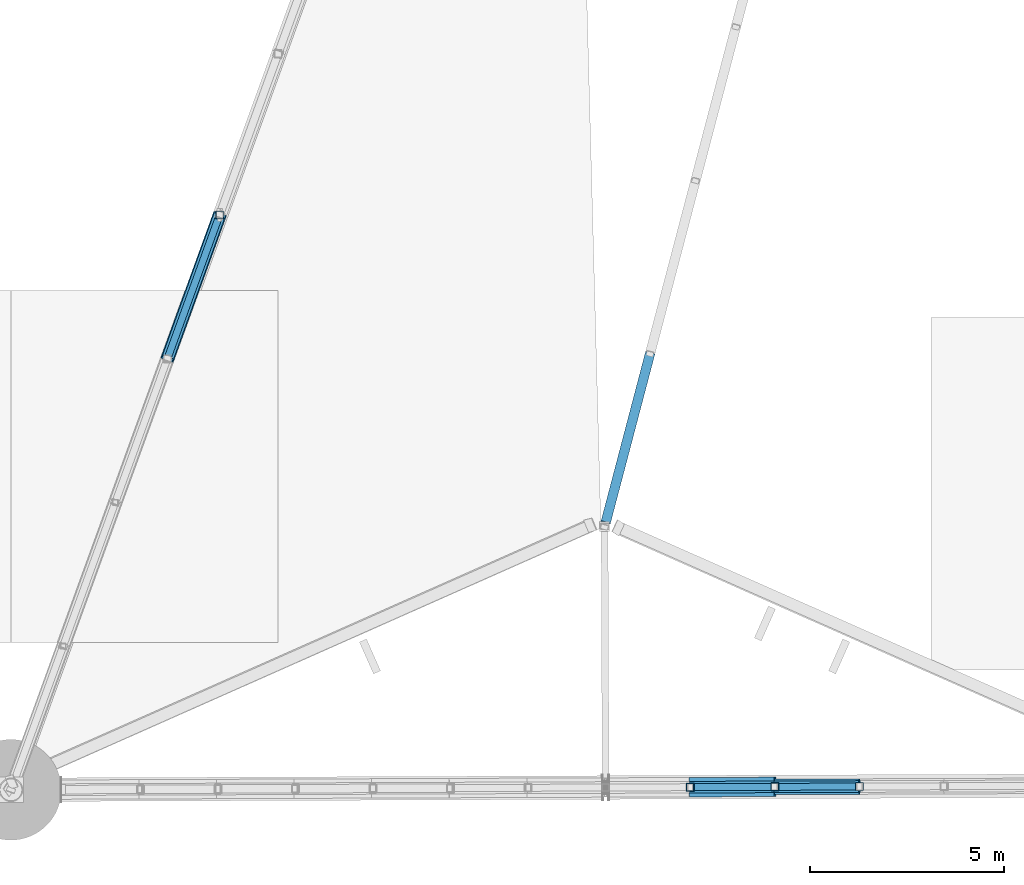
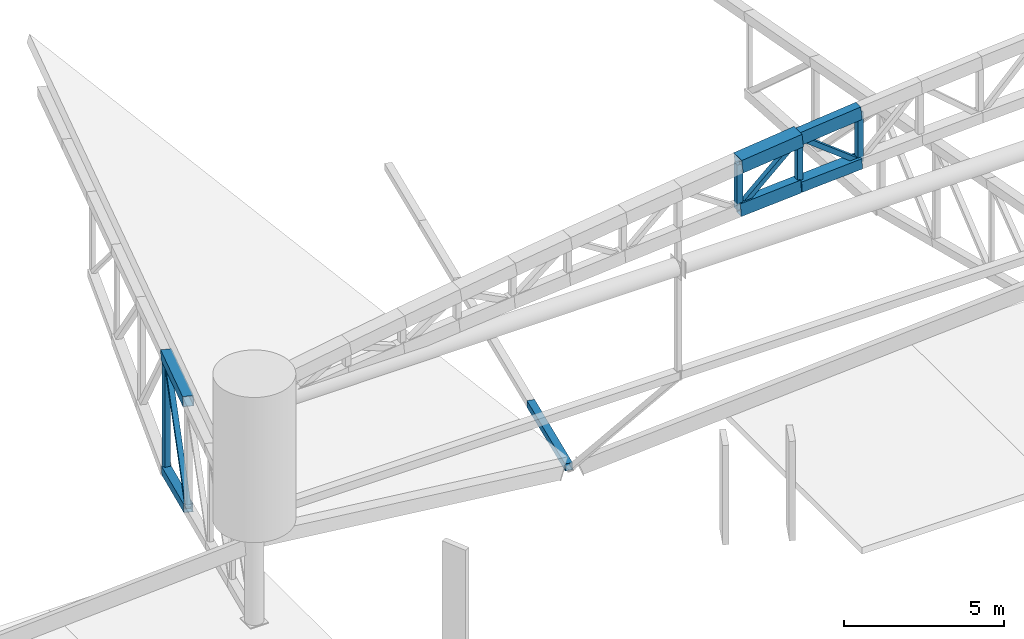
# One storey, part 18 of 188: 14 members.
"""IFC4 building model written with IfcOpenShell, lengths in metres."""

from ifc_helpers import new_model, si_unit, direction, frame, origin, origin_2d, place, context, subcontext, project, spatial, hollow_rectangle, extrude, material, material_profile, profile_set, type_object, element, save


model = new_model("IFC4")

# Units and contexts
model_context = context("Model", 3, precision=1e-05, world=origin(), true_north=direction((0.0, 1.0)))
body_context = subcontext(model_context, "Body", "Model", "MODEL_VIEW")
ifc_project = project(units=[si_unit("LENGTHUNIT", "METRE"), si_unit("AREAUNIT", "SQUARE_METRE"), si_unit("VOLUMEUNIT", "CUBIC_METRE"), si_unit("PLANEANGLEUNIT", "RADIAN"), si_unit("MASSUNIT", "GRAM", prefix="KILO")], contexts=[model_context])

# Site, building, storey
site_placement = place(None, origin())
site = spatial("IfcSite", under=ifc_project, at=site_placement, CompositionType="ELEMENT")
building_placement = place(site_placement, origin())
building = spatial("IfcBuilding", under=site, at=building_placement, Name="Meseta Stadium", CompositionType="ELEMENT")
storey_placement = place(building_placement, frame((0.0, 0.0, 30.0)))
storey = spatial("IfcBuildingStorey", under=building, at=storey_placement, Name="ROOF", CompositionType="ELEMENT", Elevation=30.0)

# Members
ifc_material_1 = material(Name="Steel S355", Category="steel")
ifc_material_profile_1 = material_profile(ifc_material_1, hollow_rectangle(XDim=0.300048828125, YDim=0.5, WallThickness=0.01611328125, at=origin_2d()), Name="RHS 500x300x16")
ifc_profile_set_1 = profile_set([ifc_material_profile_1], Name="Steel S355")
member_type_1 = type_object("IfcMemberType", Name="RHS 500x300x16 arch bottom chord", PredefinedType="CHORD", material=ifc_profile_set_1)
member_1_placement = place(storey_placement, frame((-20.787353515625, -105.33251953125, 17.004638671875), z_axis=(0.997966615357, 0.003899612765, 0.063619396826), x_axis=(-0.003907528502, 0.999992365581, 0.0)))
element("IfcMember", 1, at=member_1_placement, inside=storey, type_object=member_type_1, Name="GABLE ARCH GA-S bottom chord", PredefinedType="CHORD", context=body_context, shape_type="SweptSolid", body=[
    extrude(hollow_rectangle(XDim=0.300048828125, YDim=0.5, WallThickness=0.01611328125, at=origin_2d()), origin(), (0.0, 0.0, 1.0), 2.191162109375),
])
ifc_material_2 = material(Name="Steel S355", Category="steel")
ifc_material_profile_2 = material_profile(ifc_material_2, hollow_rectangle(XDim=0.300048828125, YDim=0.5, WallThickness=0.01611328125, at=origin_2d()), Name="RHS 500x300x16")
ifc_profile_set_2 = profile_set([ifc_material_profile_2], Name="Steel S355")
member_type_2 = type_object("IfcMemberType", Name="RHS 500x300x16 arch top chord", PredefinedType="CHORD", material=ifc_profile_set_2)
member_2_placement = place(storey_placement, frame((-18.6005859375, -105.323974609375, 18.9609375), z_axis=(0.995113347047, 0.003777786266, 0.098666888363), x_axis=(-0.003796310294, 0.999992793988, 0.0)))
element("IfcMember", 2, at=member_2_placement, inside=storey, type_object=member_type_2, Name="GABLE ARCH GA-S top chord", PredefinedType="CHORD", context=body_context, shape_type="SweptSolid", body=[
    extrude(hollow_rectangle(XDim=0.300048828125, YDim=0.5, WallThickness=0.01611328125, at=origin_2d()), origin(), (0.0, 0.0, 1.0), 2.197265625),
])
ifc_material_3 = material(Name="Steel S355", Category="steel")
ifc_material_profile_3 = material_profile(ifc_material_3, hollow_rectangle(XDim=0.179931640625, YDim=0.179931640625, WallThickness=0.00634765625, at=origin_2d()), Name="SHS 180x180x6.3")
ifc_profile_set_3 = profile_set([ifc_material_profile_3], Name="Steel S355")
member_type_3 = type_object("IfcMemberType", Name="SHS 180x180x6.3 arch diagonal", PredefinedType="BRACE", material=ifc_profile_set_3)
member_3_placement = place(storey_placement, frame((-20.787353515625, -105.33251953125, 17.004638671875), z_axis=(0.745286027417, 0.002912248628, 0.666738521569), x_axis=(-0.003907528502, 0.999992365581, 0.0)))
element("IfcMember", 3, at=member_3_placement, inside=storey, type_object=member_type_3, Name="GABLE ARCH GA-S diagonal", PredefinedType="BRACE", context=body_context, shape_type="SweptSolid", body=[
    extrude(hollow_rectangle(XDim=0.179931640625, YDim=0.179931640625, WallThickness=0.00634765625, at=origin_2d()), origin(), (0.0, 0.0, 1.0), 2.93408203125),
])
member_4_placement = place(storey_placement, frame((-18.6005859375, -105.323974609375, 18.9609375), z_axis=(0.791176509114, 0.00300357317, -0.61158050163), x_axis=(-0.003796310294, 0.999992793988, 0.0)))
element("IfcMember", 4, at=member_4_placement, inside=storey, type_object=member_type_3, Name="GABLE ARCH GA-S diagonal", PredefinedType="BRACE", context=body_context, shape_type="SweptSolid", body=[
    extrude(hollow_rectangle(XDim=0.179931640625, YDim=0.179931640625, WallThickness=0.00634765625, at=origin_2d()), origin(), (0.0, 0.0, 1.0), 2.763671875),
])
ifc_material_4 = material(Name="Steel S355", Category="steel")
ifc_material_profile_4 = material_profile(ifc_material_4, hollow_rectangle(XDim=0.179931640625, YDim=0.179931640625, WallThickness=0.00634765625, at=origin_2d()), Name="SHS 180x180x6.3")
ifc_profile_set_4 = profile_set([ifc_material_profile_4], Name="Steel S355")
member_type_4 = type_object("IfcMemberType", Name="SHS 180x180x6.3 diagonal", PredefinedType="BRACE", material=ifc_profile_set_4)
member_5_placement = place(storey_placement, frame((-32.944091796875, -90.551025390625, 6.698974609375), z_axis=(-0.266922507341, -0.735560646361, -0.622657940284), x_axis=(0.940020637337, -0.341117577063, 0.0)))
element("IfcMember", 5, at=member_5_placement, inside=storey, type_object=member_type_4, Name="ROOF TRUSS RT-44 diagonal", PredefinedType="BRACE", context=body_context, shape_type="SweptSolid", body=[
    extrude(hollow_rectangle(XDim=0.179931640625, YDim=0.179931640625, WallThickness=0.00634765625, at=origin_2d()), origin(), (0.0, 0.0, 1.0), 5.047119140625),
])
ifc_material_5 = material(Name="Steel S355", Category="steel")
ifc_material_profile_5 = material_profile(ifc_material_5, hollow_rectangle(XDim=0.199951171875, YDim=0.199951171875, WallThickness=0.008056640625, at=origin_2d()), Name="SHS 200x200x8")
ifc_profile_set_5 = profile_set([ifc_material_profile_5], Name="Steel S355")
member_type_5 = type_object("IfcMemberType", Name="SHS 200x200x8 arch vertical", PredefinedType="POST", material=ifc_profile_set_5)
member_6_placement = place(storey_placement, frame((-20.787353515625, -105.33251953125, 17.004638671875), z_axis=(0.0, 0.0, 1.0), x_axis=(1.0, 0.0, 0.0)))
element("IfcMember", 6, at=member_6_placement, inside=storey, type_object=member_type_5, Name="GABLE ARCH GA-S vertical", PredefinedType="POST", context=body_context, shape_type="SweptSolid", body=[
    extrude(hollow_rectangle(XDim=0.199951171875, YDim=0.199951171875, WallThickness=0.008056640625, at=origin_2d()), origin(), (0.0, 0.0, 1.0), 1.721435546875),
])
member_7_placement = place(storey_placement, frame((-18.6005859375, -105.323974609375, 17.14404296875), z_axis=(0.0, 0.0, 1.0), x_axis=(1.0, 0.0, 0.0)))
element("IfcMember", 7, at=member_7_placement, inside=storey, type_object=member_type_5, Name="GABLE ARCH GA-S vertical", PredefinedType="POST", context=body_context, shape_type="SweptSolid", body=[
    extrude(hollow_rectangle(XDim=0.199951171875, YDim=0.199951171875, WallThickness=0.008056640625, at=origin_2d()), origin(), (0.0, 0.0, 1.0), 1.81689453125),
])
member_8_placement = place(storey_placement, frame((-16.4140625, -105.315673828125, 17.270751953125), z_axis=(0.0, 0.0, 1.0), x_axis=(1.0, 0.0, 0.0)))
element("IfcMember", 8, at=member_8_placement, inside=storey, type_object=member_type_5, Name="GABLE ARCH GA-S vertical", PredefinedType="POST", context=body_context, shape_type="SweptSolid", body=[
    extrude(hollow_rectangle(XDim=0.199951171875, YDim=0.199951171875, WallThickness=0.008056640625, at=origin_2d()), origin(), (0.0, 0.0, 1.0), 1.906982421875),
])
ifc_material_6 = material(Name="Steel S355", Category="steel")
ifc_material_profile_6 = material_profile(ifc_material_6, hollow_rectangle(XDim=0.199951171875, YDim=0.199951171875, WallThickness=0.008056640625, at=origin_2d()), Name="SHS 200x200x8")
ifc_profile_set_6 = profile_set([ifc_material_profile_6], Name="Steel S355")
member_type_6 = type_object("IfcMemberType", Name="SHS 200x200x8 post", PredefinedType="POST", material=ifc_profile_set_6)
member_9_placement = place(storey_placement, frame((-32.944091796875, -90.551025390625, 2.27099609375), z_axis=(0.0, 0.0, 1.0), x_axis=(1.0, 0.0, 0.0)))
element("IfcMember", 9, at=member_9_placement, inside=storey, type_object=member_type_6, Name="ROOF TRUSS RT-44 post", PredefinedType="POST", context=body_context, shape_type="SweptSolid", body=[
    extrude(hollow_rectangle(XDim=0.199951171875, YDim=0.199951171875, WallThickness=0.008056640625, at=origin_2d()), origin(), (0.0, 0.0, 1.0), 4.427978515625),
])
ifc_material_7 = material(Name="Steel S355", Category="steel")
ifc_material_profile_7 = material_profile(ifc_material_7, hollow_rectangle(XDim=0.25, YDim=0.25, WallThickness=0.010009765625, at=origin_2d()), Name="SHS 250x250x10")
ifc_profile_set_7 = profile_set([ifc_material_profile_7], Name="Steel S355")
member_type_7 = type_object("IfcMemberType", Name="SHS 250x250x10 top chord", PredefinedType="CHORD", material=ifc_profile_set_7)
member_10_placement = place(storey_placement, frame((-21.82470703125, -94.128173828125, 3.093994140625), z_axis=(-0.251763284142, -0.957835851284, 0.138440350884), x_axis=(0.967148745494, -0.254211140764, 0.0)))
element("IfcMember", 10, at=member_10_placement, inside=storey, type_object=member_type_7, Name="ROOF TRUSS RT-45 top chord", PredefinedType="CHORD", context=body_context, shape_type="SweptSolid", body=[
    extrude(hollow_rectangle(XDim=0.25, YDim=0.25, WallThickness=0.010009765625, at=origin_2d()), origin(), (0.0, 0.0, 1.0), 4.55859375),
])
ifc_material_8 = material(Name="Steel S355", Category="steel")
ifc_material_profile_8 = material_profile(ifc_material_8, hollow_rectangle(XDim=0.300048828125, YDim=0.300048828125, WallThickness=0.010009765625, at=origin_2d()), Name="SHS 300x300x10")
ifc_profile_set_8 = profile_set([ifc_material_profile_8], Name="Steel S355")
member_type_8 = type_object("IfcMemberType", Name="SHS 300x300x10 bottom chord", PredefinedType="CHORD", material=ifc_profile_set_8)
member_11_placement = place(storey_placement, frame((-32.944091796875, -90.551025390625, 2.27099609375), z_axis=(-0.324368891859, -0.893866141646, 0.309496595802), x_axis=(0.940020637337, -0.341117577063, 0.0)))
element("IfcMember", 11, at=member_11_placement, inside=storey, type_object=member_type_8, Name="ROOF TRUSS RT-44 bottom chord", PredefinedType="CHORD", context=body_context, shape_type="SweptSolid", body=[
    extrude(hollow_rectangle(XDim=0.300048828125, YDim=0.300048828125, WallThickness=0.010009765625, at=origin_2d()), origin(), (0.0, 0.0, 1.0), 4.153076171875),
])
ifc_material_9 = material(Name="Steel S355", Category="steel")
ifc_material_profile_9 = material_profile(ifc_material_9, hollow_rectangle(XDim=0.35009765625, YDim=0.35009765625, WallThickness=0.01416015625, at=origin_2d()), Name="SHS 350x350x14.2")
ifc_profile_set_9 = profile_set([ifc_material_profile_9], Name="Steel S355")
member_type_9 = type_object("IfcMemberType", Name="SHS 350x350x14.2 top chord", PredefinedType="CHORD", material=ifc_profile_set_9)
member_12_placement = place(storey_placement, frame((-32.944091796875, -90.551025390625, 6.698974609375), z_axis=(-0.332064227863, -0.915072245177, 0.228858328844), x_axis=(0.940020637337, -0.341117577063, 0.0)))
element("IfcMember", 12, at=member_12_placement, inside=storey, type_object=member_type_9, Name="ROOF TRUSS RT-44 top chord", PredefinedType="CHORD", context=body_context, shape_type="SweptSolid", body=[
    extrude(hollow_rectangle(XDim=0.35009765625, YDim=0.35009765625, WallThickness=0.01416015625, at=origin_2d()), origin(), (0.0, 0.0, 1.0), 4.056884765625),
])
ifc_material_10 = material(Name="Steel S355", Category="steel")
ifc_material_profile_10 = material_profile(ifc_material_10, hollow_rectangle(XDim=0.39990234375, YDim=0.39990234375, WallThickness=0.01416015625, at=origin_2d()), Name="SHS 400x400x14.2")
ifc_profile_set_10 = profile_set([ifc_material_profile_10], Name="Steel S355")
member_type_10 = type_object("IfcMemberType", Name="SHS 400x400x14.2 arch bottom chord", PredefinedType="CHORD", material=ifc_profile_set_10)
member_13_placement = place(storey_placement, frame((-18.6005859375, -105.323974609375, 17.14404296875), z_axis=(0.998317947444, 0.003789952011, 0.057852502761), x_axis=(-0.003796310294, 0.999992793988, 0.0)))
element("IfcMember", 13, at=member_13_placement, inside=storey, type_object=member_type_10, Name="GABLE ARCH GA-S bottom chord", PredefinedType="CHORD", context=body_context, shape_type="SweptSolid", body=[
    extrude(hollow_rectangle(XDim=0.39990234375, YDim=0.39990234375, WallThickness=0.01416015625, at=origin_2d()), origin(), (0.0, 0.0, 1.0), 2.190185546875),
])
ifc_material_11 = material(Name="Steel S355", Category="steel")
ifc_material_profile_11 = material_profile(ifc_material_11, hollow_rectangle(XDim=0.5, YDim=0.5, WallThickness=0.01611328125, at=origin_2d()), Name="SHS 500x500x16")
ifc_profile_set_11 = profile_set([ifc_material_profile_11], Name="Steel S355")
member_type_11 = type_object("IfcMemberType", Name="SHS 500x500x16 arch top chord", PredefinedType="CHORD", material=ifc_profile_set_11)
member_14_placement = place(storey_placement, frame((-20.787353515625, -105.33251953125, 18.72607421875), z_axis=(0.994274320491, 0.003885184908, 0.106787082317), x_axis=(-0.003907528502, 0.999992365581, 0.0)))
element("IfcMember", 14, at=member_14_placement, inside=storey, type_object=member_type_11, Name="GABLE ARCH GA-S top chord", PredefinedType="CHORD", context=body_context, shape_type="SweptSolid", body=[
    extrude(hollow_rectangle(XDim=0.5, YDim=0.5, WallThickness=0.01611328125, at=origin_2d()), origin(), (0.0, 0.0, 1.0), 2.199462890625),
])

save(model, "model.ifc")
